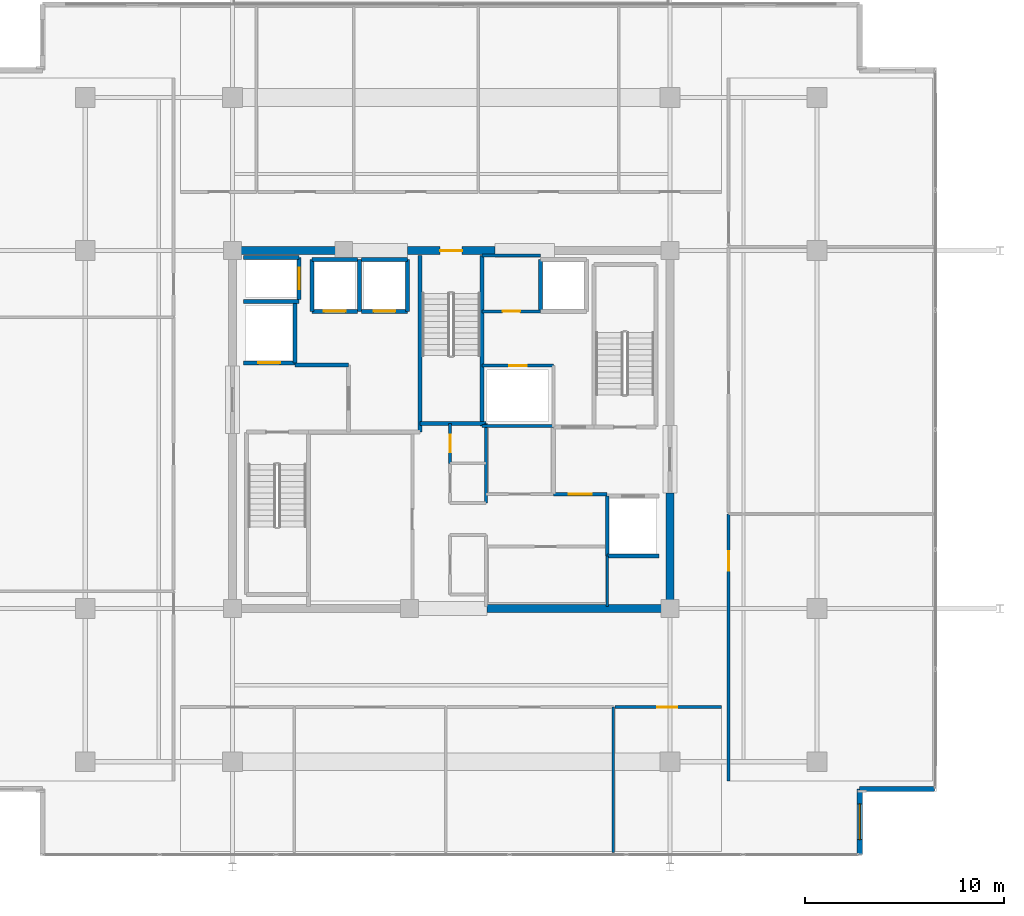
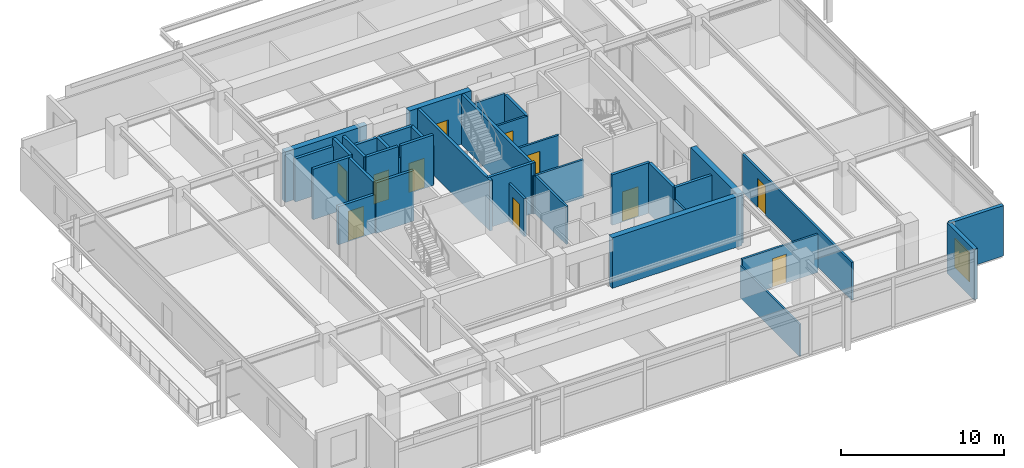
# One storey, part 14 of 20: 36 walls, 11 doors, 1 window, 12 openings.
"""IFC4 building model written with IfcOpenShell, lengths in metres."""

import ifcopenshell
import ifcopenshell.guid

model = None  # the IFC model being written
_history = None  # IfcOwnerHistory: only IFC2X3 demands one
_inside = {}  # id of a spatial element -> (the spatial element, [elements in it])
_under = {}  # id of a project, library or spatial element -> (it, [spatial elements below it])
_declared = {}  # id of a project -> (the project, [libraries it declares])
_typed = {}  # id of a type object -> (the type object, [elements of that type])
_made_of = {}  # id of a material, layer set ... -> (it, [elements and type objects made of it])


def new_model(schema):
    """Start an empty IFC model of exactly this schema.

    Asked for "IFC4X3", IfcOpenShell would pick the latest addendum, in which some entities
    have other attributes; the version numbers below select the first issue.
    IFC2X3 requires an IfcOwnerHistory on every rooted entity: one is made here for all.
    """
    global model, _history
    if schema == "IFC4X3":
        model = ifcopenshell.file(schema_version=(4, 3, 0, 0))
    else:
        model = ifcopenshell.file(schema=schema)
    _inside.clear()
    _under.clear()
    _declared.clear()
    _typed.clear()
    _made_of.clear()
    _history = None
    if model.schema == "IFC2X3":
        org = make("IfcOrganization", Name="unknown")
        user = make(
            "IfcPersonAndOrganization",
            ThePerson=make("IfcPerson", FamilyName="unknown"),
            TheOrganization=org,
        )
        app = make(
            "IfcApplication",
            ApplicationDeveloper=org,
            Version="unknown",
            ApplicationFullName="unknown",
            ApplicationIdentifier="unknown",
        )
        _history = make(
            "IfcOwnerHistory",
            OwningUser=user,
            OwningApplication=app,
            ChangeAction="ADDED",
            CreationDate=0,
        )
    return model


def make(cls, **values):
    """One entity of the class cls with the attributes given. An attribute that is None is left unset."""
    return model.create_entity(
        cls, **{name: value for name, value in values.items() if value is not None}
    )


def rooted(cls, **values):
    """An entity with a GlobalId (a new one), such as an element, a storey or a relation."""
    return make(cls, GlobalId=ifcopenshell.guid.new(), OwnerHistory=_history, **values)


def si_unit(unit_type, name, prefix=None):
    """IfcSIUnit, for example si_unit("LENGTHUNIT", "METRE", prefix="MILLI")."""
    return make("IfcSIUnit", UnitType=unit_type, Prefix=prefix, Name=name)


def assignment(units):
    """IfcUnitAssignment: the units of a project."""
    return None if units is None else make("IfcUnitAssignment", Units=units)


def point(xyz):
    """IfcCartesianPoint."""
    return None if xyz is None else make("IfcCartesianPoint", Coordinates=xyz)


def direction(xyz):
    """IfcDirection."""
    return None if xyz is None else make("IfcDirection", DirectionRatios=xyz)


def frame(location, z_axis=None, x_axis=None):
    """IfcAxis2Placement3D, a coordinate frame: its origin and axes. An axis left out is left unset."""
    return make(
        "IfcAxis2Placement3D",
        Location=point(location),
        Axis=direction(z_axis),
        RefDirection=direction(x_axis),
    )


def frame_2d(location, x_axis=None):
    """IfcAxis2Placement2D, a coordinate frame in the plane: its origin and x axis."""
    return make(
        "IfcAxis2Placement2D", Location=point(location), RefDirection=direction(x_axis)
    )


def origin():
    """The frame at (0, 0, 0) with its axes left unset."""
    return frame((0.0, 0.0, 0.0))


def place(relative_to, where):
    """IfcLocalPlacement: puts the frame where relative to a parent placement (None: the world)."""
    return make(
        "IfcLocalPlacement", PlacementRelTo=relative_to, RelativePlacement=where
    )


def context(
    kind, dimensions, precision=None, world=None, true_north=None, identifier=None
):
    """IfcGeometricRepresentationContext, for example the 3D "Model" context."""
    return make(
        "IfcGeometricRepresentationContext",
        ContextIdentifier=identifier,
        ContextType=kind,
        CoordinateSpaceDimension=dimensions,
        Precision=precision,
        WorldCoordinateSystem=world,
        TrueNorth=true_north,
    )


def subcontext(parent, identifier, kind, view, scale=None):
    """IfcGeometricRepresentationSubContext, for example "Body" below "Model"."""
    return make(
        "IfcGeometricRepresentationSubContext",
        ContextIdentifier=identifier,
        ContextType=kind,
        ParentContext=parent,
        TargetScale=scale,
        TargetView=view,
    )


def project(units=None, contexts=None):
    """IfcProject with its units and contexts."""
    return rooted(
        "IfcProject",
        Name="project",
        RepresentationContexts=contexts,
        UnitsInContext=assignment(units),
    )


def spatial(cls, under=None, at=None, **own):
    """A site, building, storey or space (cls), placed at a placement, below another one or the project."""
    s = rooted(cls, ObjectPlacement=at, **own)
    if under is not None:
        _under.setdefault(under.id(), (under, []))[1].append(s)
    return s


def profile(cls, at=None, kind="AREA", **sizes):
    """A parametric profile (cls). Its sizes go by their IFC names, for example OverallWidth=200.0."""
    return make(cls, ProfileType=kind, Position=at, **sizes)


def rectangle(**sizes):
    """IfcRectangleProfileDef."""
    return profile("IfcRectangleProfileDef", **sizes)


def extrude(swept, where, along, depth):
    """IfcExtrudedAreaSolid: the profile swept, set in the frame where, extruded along a direction by depth."""
    return make(
        "IfcExtrudedAreaSolid",
        SweptArea=swept,
        Position=where,
        ExtrudedDirection=direction(along),
        Depth=depth,
    )


def shape(context_of_items, identifier, shape_type, items):
    """IfcShapeRepresentation: the items that make up one representation, for example the "Body"."""
    return make(
        "IfcShapeRepresentation",
        ContextOfItems=context_of_items,
        RepresentationIdentifier=identifier,
        RepresentationType=shape_type,
        Items=items,
    )


def material(Name=None, Category=None):
    """IfcMaterial."""
    return make("IfcMaterial", Name=Name, Category=Category)


def layer(
    of_material, thickness, ventilated=None, Name=None, Category=None, Priority=None
):
    """IfcMaterialLayer: one layer of a wall or slab, of a material (None: an air gap)."""
    return make(
        "IfcMaterialLayer",
        Material=of_material,
        LayerThickness=thickness,
        IsVentilated=ventilated,
        Name=Name,
        Category=Category,
        Priority=Priority,
    )


def layer_set(layers, Name=None):
    """IfcMaterialLayerSet."""
    return make("IfcMaterialLayerSet", MaterialLayers=layers, LayerSetName=Name)


def made_of(thing, what):
    """Note that an element or type object is made of a material, layer set ...; save() writes the relation."""
    if what is not None:
        _made_of.setdefault(what.id(), (what, []))[1].append(thing)
    return thing


def type_object(cls, material=None, **own):
    """A type object (cls), such as IfcWallType, which elements share."""
    return made_of(rooted(cls, **own), material)


def element(
    cls,
    number,
    at=None,
    inside=None,
    cuts=None,
    type_object=None,
    material=None,
    context=None,
    identifier="Body",
    shape_type=None,
    held_by="IfcProductDefinitionShape",
    body=None,
    shapes=None,
    **own,
):
    """One element of the class cls, such as IfcWall. Its Tag is "e" and its number.

    at: its placement. inside: the storey or other place that contains it. cuts: it is an
    opening in that element (IfcRelVoidsElement). A single representation is given by context,
    identifier, shape_type and body (its items); several are given by shapes. held_by: the class
    of the entity that holds the representations. save() writes the other relations.
    """
    e = rooted(cls, Tag="e%d" % number, ObjectPlacement=at, **own)
    if body is not None:
        shapes = [shape(context, identifier, shape_type, body)]
    if shapes is not None:
        e.Representation = make(held_by, Representations=shapes)
    if inside is not None:
        _inside.setdefault(inside.id(), (inside, []))[1].append(e)
    if cuts is not None:
        rooted(
            "IfcRelVoidsElement", RelatingBuildingElement=cuts, RelatedOpeningElement=e
        )
    if type_object is not None:
        _typed.setdefault(type_object.id(), (type_object, []))[1].append(e)
    return made_of(e, material)


def fill(opening, filler):
    """IfcRelFillsElement: the door or window that sits in an opening."""
    return rooted(
        "IfcRelFillsElement",
        RelatingOpeningElement=opening,
        RelatedBuildingElement=filler,
    )


def aggregate(whole, parts):
    """IfcRelAggregates: a whole, such as a stair, and the parts it consists of."""
    return rooted("IfcRelAggregates", RelatingObject=whole, RelatedObjects=parts)


def save(model, path):
    """Write the relations noted so far, then the file.

    IfcRelAggregates (storeys below a building ...), IfcRelContainedInSpatialStructure (elements
    in a storey), IfcRelDefinesByType, IfcRelAssociatesMaterial and IfcRelDeclares: one each for
    every whole, place, type object, material and project.
    """
    for whole, parts in _under.values():
        aggregate(whole, parts)
    for where, things in _inside.values():
        rooted(
            "IfcRelContainedInSpatialStructure",
            RelatedElements=things,
            RelatingStructure=where,
        )
    for kind, things in _typed.values():
        rooted("IfcRelDefinesByType", RelatedObjects=things, RelatingType=kind)
    for what, things in _made_of.values():
        rooted("IfcRelAssociatesMaterial", RelatedObjects=things, RelatingMaterial=what)
    for by, libraries in _declared.values():
        rooted("IfcRelDeclares", RelatingContext=by, RelatedDefinitions=libraries)
    model.write(path)


model = new_model("IFC4")

# Units and contexts
model_context = context("Model", 3, precision=1e-05, world=origin(), true_north=direction((0.0, 1.0)))
body_context = subcontext(model_context, "Body", "Model", "MODEL_VIEW")
ifc_project = project(units=[si_unit("LENGTHUNIT", "METRE"), si_unit("AREAUNIT", "SQUARE_METRE"), si_unit("VOLUMEUNIT", "CUBIC_METRE"), si_unit("PLANEANGLEUNIT", "RADIAN"), si_unit("MASSUNIT", "GRAM", prefix="KILO")], contexts=[model_context])

# Site, building, storey
site_placement = place(None, origin())
site = spatial("IfcSite", under=ifc_project, at=site_placement, CompositionType="ELEMENT")
building_placement = place(site_placement, origin())
building = spatial("IfcBuilding", under=site, at=building_placement, Name="Kovane Verandah Tower", CompositionType="ELEMENT")
storey_placement = place(building_placement, frame((0.0, 0.0, 334.800048828125)))
storey = spatial("IfcBuildingStorey", under=building, at=storey_placement, Name="L78", CompositionType="ELEMENT", Elevation=334.800048828125)

# Wall
ifc_material_1 = material(Name="Fire-Rated Gypsum Stud Partition", Category="gypsum")
ifc_layer_1 = layer(ifc_material_1, 0.14990234375)
ifc_layer_set_1 = layer_set([ifc_layer_1], Name="Fire-Rated Gypsum Stud Partition")
wall_type_1 = type_object("IfcWallType", Name="WL-COR-150", PredefinedType="PARTITIONING", material=ifc_layer_set_1)
wall_1_placement = place(storey_placement, frame((41.760009765625, 23.800048828125, 0.0), z_axis=(0.0, 0.0, 1.0), x_axis=(0.0, 1.0, 0.0)))
element("IfcWall", 1, at=wall_1_placement, inside=storey, type_object=wall_type_1, Name="L78 Central Core Strip Upper East Wall", PredefinedType="PARTITIONING", context=body_context, shape_type="SweptSolid", body=[
    extrude(rectangle(XDim=4.0, YDim=0.14990234375, at=frame_2d((2.0, 0.0))), origin(), (0.0, 0.0, 1.0), 2.849853515625),
])

# Wall, opening, door
wall_2_placement = place(storey_placement, frame((39.949951171875, 25.800048828125, 0.0), z_axis=(0.0, 0.0, 1.0), x_axis=(0.0, 1.0, 0.0)))
wall_2 = element("IfcWall", 2, at=wall_2_placement, inside=storey, type_object=wall_type_1, Name="L78 Accessible Unisex Toilet Partition", PredefinedType="PARTITIONING", context=body_context, shape_type="SweptSolid", body=[
    extrude(rectangle(XDim=2.0, YDim=0.14990234375, at=frame_2d((1.0, 0.0))), origin(), (0.0, 0.0, 1.0), 2.849853515625),
])
opening_1_placement = place(wall_2_placement, frame((0.550048828125, 0.0, 0.0)))
opening_1 = element("IfcOpeningElement", 3, at=opening_1_placement, cuts=wall_2, Name="Opening DR-L78-028", PredefinedType="OPENING", context=body_context, shape_type="SweptSolid", body=[
    extrude(rectangle(XDim=0.89990234375, YDim=2.10009765625, at=frame_2d((0.449951171875, 1.050048828125))), frame((0.0, 0.074951171875, 0.0), z_axis=(0.0, -1.0, 0.0), x_axis=(1.0, 0.0, 0.0)), (0.0, 0.0, 1.0), 0.14990234375),
])
ifc_material_2 = material(Name="Moisture-Resistant Laminate Washroom Door", Category="wood")
door_type_1 = type_object("IfcDoorType", Name="DR-WC-900", OperationType="SINGLE_SWING_LEFT", PredefinedType="DOOR", material=ifc_material_2)
door_1_placement = place(opening_1_placement, origin())
door_1 = element("IfcDoor", 4, at=door_1_placement, inside=storey, type_object=door_type_1, Name="L78 Accessible Unisex Toilet Door", OperationType="SINGLE_SWING_LEFT", OverallHeight=2.10009765625, OverallWidth=0.89990234375, PredefinedType="DOOR", context=body_context, shape_type="SweptSolid", body=[
    extrude(rectangle(XDim=0.89990234375, YDim=2.10009765625, at=frame_2d((0.449951171875, 1.050048828125))), frame((0.0, 0.02490234375, 0.0), z_axis=(0.0, -1.0, 0.0), x_axis=(1.0, 0.0, 0.0)), (0.0, 0.0, 1.0), 0.050048828125),
])
fill(opening_1, door_1)

# Walls
wall_3_placement = place(storey_placement, frame((41.56005859375, 27.679931640625, 0.0), z_axis=(0.0, 0.0, 1.0), x_axis=(1.0, 0.0, 0.0)))
element("IfcWall", 5, at=wall_3_placement, inside=storey, type_object=wall_type_1, Name="L78 East Core Service Riser South Wall", PredefinedType="PARTITIONING", context=body_context, shape_type="SweptSolid", body=[
    extrude(rectangle(XDim=3.58984375, YDim=0.14990234375, at=frame_2d((1.794921875, 0.0))), origin(), (0.0, 0.0, 1.0), 2.849853515625),
])
wall_4_placement = place(storey_placement, frame((47.85009765625, 18.60009765625, 0.0), z_axis=(0.0, 0.0, 1.0), x_axis=(0.0, 1.0, 0.0)))
element("IfcWall", 6, at=wall_4_placement, inside=storey, type_object=wall_type_1, Name="L78 East Core Support East Wall", PredefinedType="PARTITIONING", context=body_context, shape_type="SweptSolid", body=[
    extrude(rectangle(XDim=2.539794921875, YDim=0.14990234375, at=frame_2d((1.27001953125, 0.0))), origin(), (0.0, 0.0, 1.0), 2.849853515625),
])

# Wall, opening, door
wall_5_placement = place(storey_placement, frame((41.56005859375, 30.719970703125, 0.0), z_axis=(0.0, 0.0, 1.0), x_axis=(1.0, 0.0, 0.0)))
wall_5 = element("IfcWall", 7, at=wall_5_placement, inside=storey, type_object=wall_type_1, Name="L78 Combined Chilled Water and Smoke Duct Room Partition", PredefinedType="PARTITIONING", context=body_context, shape_type="SweptSolid", body=[
    extrude(rectangle(XDim=3.58984375, YDim=0.14990234375, at=frame_2d((1.794921875, 0.0))), origin(), (0.0, 0.0, 1.0), 2.849853515625),
])
opening_2_placement = place(wall_5_placement, frame((1.35498046875, 0.0, 0.0)))
opening_2 = element("IfcOpeningElement", 8, at=opening_2_placement, cuts=wall_5, Name="Opening DR-L78-018", PredefinedType="OPENING", context=body_context, shape_type="SweptSolid", body=[
    extrude(rectangle(XDim=0.8798828125, YDim=2.10009765625, at=frame_2d((0.43994140625, 1.050048828125))), frame((0.0, 0.074951171875, 0.0), z_axis=(0.0, -1.0, 0.0), x_axis=(1.0, 0.0, 0.0)), (0.0, 0.0, 1.0), 0.14990234375),
])
ifc_material_3 = material(Name="Fire-Rated Steel Riser Access Door", Category="steel")
door_type_2 = type_object("IfcDoorType", Name="DR-RISER-880", OperationType="SINGLE_SWING_LEFT", PredefinedType="DOOR", material=ifc_material_3)
door_2_placement = place(opening_2_placement, origin())
door_2 = element("IfcDoor", 9, at=door_2_placement, inside=storey, type_object=door_type_2, Name="L78 Combined Chilled Water and Smoke Duct Room Door", OperationType="SINGLE_SWING_LEFT", OverallHeight=2.10009765625, OverallWidth=0.8798828125, PredefinedType="DOOR", context=body_context, shape_type="SweptSolid", body=[
    extrude(rectangle(XDim=0.8798828125, YDim=2.10009765625, at=frame_2d((0.43994140625, 1.050048828125))), frame((0.0, 0.02490234375, 0.0), z_axis=(0.0, -1.0, 0.0), x_axis=(1.0, 0.0, 0.0)), (0.0, 0.0, 1.0), 0.050048828125),
])
fill(opening_2, door_2)

# Wall
wall_6_placement = place(storey_placement, frame((41.56005859375, 36.25, 0.0), z_axis=(0.0, 0.0, 1.0), x_axis=(1.0, 0.0, 0.0)))
element("IfcWall", 10, at=wall_6_placement, inside=storey, type_object=wall_type_1, Name="L78 Sky Telecom Riser North Wall", PredefinedType="PARTITIONING", context=body_context, shape_type="SweptSolid", body=[
    extrude(rectangle(XDim=2.93994140625, YDim=0.14990234375, at=frame_2d((1.469970703125, 0.0))), origin(), (0.0, 0.0, 1.0), 2.849853515625),
])

# Wall, opening, door
wall_7_placement = place(storey_placement, frame((41.56005859375, 33.449951171875, 0.0), z_axis=(0.0, 0.0, 1.0), x_axis=(1.0, 0.0, 0.0)))
wall_7 = element("IfcWall", 11, at=wall_7_placement, inside=storey, type_object=wall_type_1, Name="L78 Sky Telecom Riser Room Partition", PredefinedType="PARTITIONING", context=body_context, shape_type="SweptSolid", body=[
    extrude(rectangle(XDim=2.93994140625, YDim=0.14990234375, at=frame_2d((1.469970703125, 0.0))), origin(), (0.0, 0.0, 1.0), 2.849853515625),
])
opening_3_placement = place(wall_7_placement, frame((1.030029296875, 0.0, 0.0)))
opening_3 = element("IfcOpeningElement", 12, at=opening_3_placement, cuts=wall_7, Name="Opening DR-L78-017", PredefinedType="OPENING", context=body_context, shape_type="SweptSolid", body=[
    extrude(rectangle(XDim=0.8798828125, YDim=2.10009765625, at=frame_2d((0.43994140625, 1.050048828125))), frame((0.0, 0.074951171875, 0.0), z_axis=(0.0, -1.0, 0.0), x_axis=(1.0, 0.0, 0.0)), (0.0, 0.0, 1.0), 0.14990234375),
])
door_3_placement = place(opening_3_placement, origin())
door_3 = element("IfcDoor", 13, at=door_3_placement, inside=storey, type_object=door_type_2, Name="L78 Sky Telecom Riser Room Door", OperationType="SINGLE_SWING_RIGHT", OverallHeight=2.10009765625, OverallWidth=0.8798828125, PredefinedType="DOOR", context=body_context, shape_type="SweptSolid", body=[
    extrude(rectangle(XDim=0.8798828125, YDim=2.10009765625, at=frame_2d((0.43994140625, 1.050048828125))), frame((0.0, 0.02490234375, 0.0), z_axis=(0.0, -1.0, 0.0), x_axis=(1.0, 0.0, 0.0)), (0.0, 0.0, 1.0), 0.050048828125),
])
fill(opening_3, door_3)

wall_8_placement = place(storey_placement, frame((48.22998046875, 13.550048828125, 0.0), z_axis=(0.0, 0.0, 1.0), x_axis=(1.0, 0.0, 0.0)))
wall_8 = element("IfcWall", 14, at=wall_8_placement, inside=storey, type_object=wall_type_1, Name="L78 Focus Studio S4 Corridor Partition", PredefinedType="PARTITIONING", context=body_context, shape_type="SweptSolid", body=[
    extrude(rectangle(XDim=5.3701171875, YDim=0.14990234375, at=frame_2d((2.68505859375, 0.0))), origin(), (0.0, 0.0, 1.0), 2.849853515625),
])
opening_4_placement = place(wall_8_placement, frame((2.135009765625, 0.0, 0.0)))
opening_4 = element("IfcOpeningElement", 15, at=opening_4_placement, cuts=wall_8, Name="Opening DR-L78-027", PredefinedType="OPENING", context=body_context, shape_type="SweptSolid", body=[
    extrude(rectangle(XDim=1.0, YDim=2.14990234375, at=frame_2d((0.5, 1.074951171875))), frame((0.0, 0.074951171875, 0.0), z_axis=(0.0, -1.0, 0.0), x_axis=(1.0, 0.0, 0.0)), (0.0, 0.0, 1.0), 0.14990234375),
])
ifc_material_4 = material(Name="FSC Spotted-Gum Timber Fire-Rated Office Door", Category="wood")
door_type_3 = type_object("IfcDoorType", Name="DR-OFF-1000", OperationType="SINGLE_SWING_LEFT", PredefinedType="DOOR", material=ifc_material_4)
door_4_placement = place(opening_4_placement, origin())
door_4 = element("IfcDoor", 16, at=door_4_placement, inside=storey, type_object=door_type_3, Name="L78 Focus Studio S4 Entrance Door", OperationType="SINGLE_SWING_LEFT", OverallHeight=2.14990234375, OverallWidth=1.0, PredefinedType="DOOR", context=body_context, shape_type="SweptSolid", body=[
    extrude(rectangle(XDim=1.0, YDim=2.14990234375, at=frame_2d((0.5, 1.074951171875))), frame((0.0, 0.02490234375, 0.0), z_axis=(0.0, -1.0, 0.0), x_axis=(1.0, 0.0, 0.0)), (0.0, 0.0, 1.0), 0.050048828125),
])
fill(opening_4, door_4)

wall_9_placement = place(storey_placement, frame((53.949951171875, 9.827880859375, 0.0), z_axis=(0.0, 0.0, 1.0), x_axis=(0.0, 1.0, 0.0)))
wall_9 = element("IfcWall", 17, at=wall_9_placement, inside=storey, type_object=wall_type_1, Name="L78 Open Plan Office E1 Corridor Partition", PredefinedType="PARTITIONING", context=body_context, shape_type="SweptSolid", body=[
    extrude(rectangle(XDim=13.430908203125, YDim=0.14990234375, at=frame_2d((6.71533203125, 0.0))), origin(), (0.0, 0.0, 1.0), 2.849853515625),
])
opening_5_placement = place(wall_9_placement, frame((10.566650390625, 0.0, 0.0)))
opening_5 = element("IfcOpeningElement", 18, at=opening_5_placement, cuts=wall_9, Name="Opening DR-L78-011", PredefinedType="OPENING", context=body_context, shape_type="SweptSolid", body=[
    extrude(rectangle(XDim=1.0, YDim=2.14990234375, at=frame_2d((0.5, 1.074951171875))), frame((0.0, 0.074951171875, 0.0), z_axis=(0.0, -1.0, 0.0), x_axis=(1.0, 0.0, 0.0)), (0.0, 0.0, 1.0), 0.14990234375),
])
door_5_placement = place(opening_5_placement, origin())
door_5 = element("IfcDoor", 19, at=door_5_placement, inside=storey, type_object=door_type_3, Name="L78 Open Plan Office E1 Entrance Door", OperationType="SINGLE_SWING_LEFT", OverallHeight=2.14990234375, OverallWidth=1.0, PredefinedType="DOOR", context=body_context, shape_type="SweptSolid", body=[
    extrude(rectangle(XDim=1.0, YDim=2.14990234375, at=frame_2d((0.5, 1.074951171875))), frame((0.0, 0.02490234375, 0.0), z_axis=(0.0, -1.0, 0.0), x_axis=(1.0, 0.0, 0.0)), (0.0, 0.0, 1.0), 0.050048828125),
])
fill(opening_5, door_5)

# Walls
ifc_material_5 = material(Name="Concrete C60/75", Category="concrete")
ifc_layer_2 = layer(ifc_material_5, 0.39990234375)
ifc_layer_set_2 = layer_set([ifc_layer_2], Name="Concrete C60/75")
wall_type_2 = type_object("IfcWallType", Name="WL-CORE-400", PredefinedType="SHEAR", material=ifc_layer_set_2)
wall_10_placement = place(storey_placement, frame((41.800048828125, 18.5, 0.0), z_axis=(0.0, 0.0, 1.0), x_axis=(1.0, 0.0, 0.0)))
element("IfcWall", 20, at=wall_10_placement, inside=storey, type_object=wall_type_2, Name="L78 Core Shear Wall CS-2", PredefinedType="SHEAR", context=body_context, shape_type="SweptSolid", body=[
    extrude(rectangle(XDim=9.199951171875, YDim=0.39990234375, at=frame_2d((4.60009765625, 0.0))), origin(), (0.0, 0.0, 1.0), 3.784912109375),
])
wall_11_placement = place(storey_placement, frame((29.0, 36.5, 0.0), z_axis=(0.0, 0.0, 1.0), x_axis=(1.0, 0.0, 0.0)))
element("IfcWall", 21, at=wall_11_placement, inside=storey, type_object=wall_type_2, Name="L78 Core Shear Wall CN-1", PredefinedType="SHEAR", context=body_context, shape_type="SweptSolid", body=[
    extrude(rectangle(XDim=5.800048828125, YDim=0.39990234375, at=frame_2d((2.89990234375, 0.0))), origin(), (0.0, 0.0, 1.0), 3.784912109375),
])

# Wall, opening, door
wall_12_placement = place(storey_placement, frame((37.800048828125, 36.5, 0.0), z_axis=(0.0, 0.0, 1.0), x_axis=(1.0, 0.0, 0.0)))
wall_12 = element("IfcWall", 22, at=wall_12_placement, inside=storey, type_object=wall_type_2, Name="L78 Core Shear Wall CN-2", PredefinedType="SHEAR", context=body_context, shape_type="SweptSolid", body=[
    extrude(rectangle(XDim=4.39990234375, YDim=0.39990234375, at=frame_2d((2.199951171875, 0.0))), origin(), (0.0, 0.0, 1.0), 3.784912109375),
])
opening_6_placement = place(wall_12_placement, frame((1.64990234375, 0.0, 0.0)))
opening_6 = element("IfcOpeningElement", 23, at=opening_6_placement, cuts=wall_12, Name="Opening DR-L78-010", PredefinedType="OPENING", context=body_context, shape_type="SweptSolid", body=[
    extrude(rectangle(XDim=1.10009765625, YDim=2.14990234375, at=frame_2d((0.550048828125, 1.074951171875))), frame((0.0, 0.199951171875, 0.0), z_axis=(0.0, -1.0, 0.0), x_axis=(1.0, 0.0, 0.0)), (0.0, 0.0, 1.0), 0.39990234375),
])
ifc_material_6 = material(Name="Fire-Rated Steel Exit Door", Category="steel")
door_type_4 = type_object("IfcDoorType", Name="DR-STAIR-1100", OperationType="SINGLE_SWING_LEFT", PredefinedType="DOOR", material=ifc_material_6)
door_6_placement = place(opening_6_placement, origin())
door_6 = element("IfcDoor", 24, at=door_6_placement, inside=storey, type_object=door_type_4, Name="L78 ST-03 Fire Exit Stair Door", OperationType="SINGLE_SWING_RIGHT", OverallHeight=2.14990234375, OverallWidth=1.10009765625, PredefinedType="DOOR", context=body_context, shape_type="SweptSolid", body=[
    extrude(rectangle(XDim=1.10009765625, YDim=2.14990234375, at=frame_2d((0.550048828125, 1.074951171875))), frame((0.0, 0.02490234375, 0.0), z_axis=(0.0, -1.0, 0.0), x_axis=(1.0, 0.0, 0.0)), (0.0, 0.0, 1.0), 0.050048828125),
])
fill(opening_6, door_6)

# Walls
wall_13_placement = place(storey_placement, frame((51.0, 18.5, 0.0), z_axis=(0.0, 0.0, 1.0), x_axis=(0.0, 1.0, 0.0)))
element("IfcWall", 25, at=wall_13_placement, inside=storey, type_object=wall_type_2, Name="L78 Core Shear Wall CE-1", PredefinedType="SHEAR", context=body_context, shape_type="SweptSolid", body=[
    extrude(rectangle(XDim=5.800048828125, YDim=0.39990234375, at=frame_2d((2.89990234375, 0.0))), origin(), (0.0, 0.0, 1.0), 3.784912109375),
])
ifc_material_7 = material(Name="Concrete C45/55 Fire Wall", Category="concrete")
ifc_layer_3 = layer(ifc_material_7, 0.199951171875)
ifc_layer_set_3 = layer_set([ifc_layer_3], Name="Concrete C45/55 Fire Wall")
wall_type_3 = type_object("IfcWallType", Name="WL-FFL-200", PredefinedType="PARTITIONING", material=ifc_layer_set_3)
wall_14_placement = place(storey_placement, frame((32.14990234375, 30.75, 0.0), z_axis=(0.0, 0.0, 1.0), x_axis=(1.0, 0.0, 0.0)))
element("IfcWall", 26, at=wall_14_placement, inside=storey, type_object=wall_type_3, Name="L78 West Firefighting Lobby North Fire Wall", PredefinedType="PARTITIONING", context=body_context, shape_type="SweptSolid", body=[
    extrude(rectangle(XDim=2.7001953125, YDim=0.199951171875, at=frame_2d((1.35009765625, 0.0))), origin(), (0.0, 0.0, 1.0), 3.784912109375),
])

# Wall, opening, door
wall_15_placement = place(storey_placement, frame((45.14990234375, 24.25, 0.0), z_axis=(0.0, 0.0, 1.0), x_axis=(1.0, 0.0, 0.0)))
wall_15 = element("IfcWall", 27, at=wall_15_placement, inside=storey, type_object=wall_type_3, Name="W-L78-FFLE-S", PredefinedType="PARTITIONING", context=body_context, shape_type="SweptSolid", body=[
    extrude(rectangle(XDim=2.7001953125, YDim=0.199951171875, at=frame_2d((1.35009765625, 0.0))), origin(), (0.0, 0.0, 1.0), 3.784912109375),
])
opening_7_placement = place(wall_15_placement, frame((0.77490234375, 0.0, 0.0)))
opening_7 = element("IfcOpeningElement", 28, at=opening_7_placement, cuts=wall_15, Name="Opening DR-L78-003", PredefinedType="OPENING", context=body_context, shape_type="SweptSolid", body=[
    extrude(rectangle(XDim=1.14990234375, YDim=2.199951171875, at=frame_2d((0.574951171875, 1.10009765625))), frame((0.0, 0.10009765625, 0.0), z_axis=(0.0, -1.0, 0.0), x_axis=(1.0, 0.0, 0.0)), (0.0, 0.0, 1.0), 0.199951171875),
])
ifc_material_8 = material(Name="Smoke-Sealed Firefighting Lobby Door", Category="steel")
door_type_5 = type_object("IfcDoorType", Name="DR-FFL-1150", OperationType="SINGLE_SWING_LEFT", PredefinedType="DOOR", material=ifc_material_8)
door_7_placement = place(opening_7_placement, origin())
door_7 = element("IfcDoor", 29, at=door_7_placement, inside=storey, type_object=door_type_5, Name="L78 East Firefighting Lobby Inner Door", OperationType="SINGLE_SWING_RIGHT", OverallHeight=2.199951171875, OverallWidth=1.14990234375, PredefinedType="DOOR", context=body_context, shape_type="SweptSolid", body=[
    extrude(rectangle(XDim=1.14990234375, YDim=2.199951171875, at=frame_2d((0.574951171875, 1.10009765625))), frame((0.0, 0.02490234375, 0.0), z_axis=(0.0, -1.0, 0.0), x_axis=(1.0, 0.0, 0.0)), (0.0, 0.0, 1.0), 0.050048828125),
])
fill(opening_7, door_7)

ifc_material_9 = material(Name="Concrete C45/55 Lift Shaft Wall", Category="concrete")
ifc_layer_4 = layer(ifc_material_9, 0.199951171875)
ifc_layer_set_4 = layer_set([ifc_layer_4], Name="Concrete C45/55 Lift Shaft Wall")
wall_type_4 = type_object("IfcWallType", Name="WL-LIFT-200", PredefinedType="SOLIDWALL", material=ifc_layer_set_4)
wall_16_placement = place(storey_placement, frame((29.550048828125, 30.85009765625, 0.0), z_axis=(0.0, 0.0, 1.0), x_axis=(1.0, 0.0, 0.0)))
wall_16 = element("IfcWall", 30, at=wall_16_placement, inside=storey, type_object=wall_type_4, Name="L78 Lift FL-01 S Shaft Wall", PredefinedType="SOLIDWALL", context=body_context, shape_type="SweptSolid", body=[
    extrude(rectangle(XDim=2.599853515625, YDim=0.199951171875, at=frame_2d((1.2998046875, 0.0))), origin(), (0.0, 0.0, 1.0), 2.864990234375),
])
opening_8_placement = place(wall_16_placement, frame((0.75, 0.0, 0.0)))
opening_8 = element("IfcOpeningElement", 31, at=opening_8_placement, cuts=wall_16, Name="Opening LD-L78-001", PredefinedType="OPENING", context=body_context, shape_type="SweptSolid", body=[
    extrude(rectangle(XDim=1.10009765625, YDim=2.199951171875, at=frame_2d((0.550048828125, 1.10009765625))), frame((0.0, 0.10009765625, 0.0), z_axis=(0.0, -1.0, 0.0), x_axis=(1.0, 0.0, 0.0)), (0.0, 0.0, 1.0), 0.199951171875),
])
ifc_material_10 = material(Name="Brushed Stainless Steel Sliding Lift Landing Door", Category="steel")
door_type_6 = type_object("IfcDoorType", Name="DR-LIFT-1100", OperationType="SLIDING_TO_RIGHT", PredefinedType="DOOR", material=ifc_material_10)
door_8_placement = place(opening_8_placement, origin())
door_8 = element("IfcDoor", 32, at=door_8_placement, inside=storey, type_object=door_type_6, Name="L78 Lift FL-01 Sliding Landing Door", OperationType="SLIDING_TO_RIGHT", OverallHeight=2.199951171875, OverallWidth=1.10009765625, PredefinedType="DOOR", context=body_context, shape_type="SweptSolid", body=[
    extrude(rectangle(XDim=1.10009765625, YDim=2.199951171875, at=frame_2d((0.550048828125, 1.10009765625))), frame((0.0, 0.02490234375, 0.0), z_axis=(0.0, -1.0, 0.0), x_axis=(1.0, 0.0, 0.0)), (0.0, 0.0, 1.0), 0.050048828125),
])
fill(opening_8, door_8)

# Walls
wall_17_placement = place(storey_placement, frame((29.550048828125, 33.949951171875, 0.0), z_axis=(0.0, 0.0, 1.0), x_axis=(1.0, 0.0, 0.0)))
element("IfcWall", 33, at=wall_17_placement, inside=storey, type_object=wall_type_4, Name="L78 Lift FL-01 and GL-01 Shared Shaft Wall", PredefinedType="SOLIDWALL", context=body_context, shape_type="SweptSolid", body=[
    extrude(rectangle(XDim=2.800048828125, YDim=0.199951171875, at=frame_2d((1.39990234375, 0.0))), origin(), (0.0, 0.0, 1.0), 3.784912109375),
])
wall_18_placement = place(storey_placement, frame((32.14990234375, 30.85009765625, 0.0), z_axis=(0.0, 0.0, 1.0), x_axis=(0.0, 1.0, 0.0)))
element("IfcWall", 34, at=wall_18_placement, inside=storey, type_object=wall_type_4, Name="L78 Lift FL-01 E Shaft Wall", PredefinedType="SOLIDWALL", context=body_context, shape_type="SweptSolid", body=[
    extrude(rectangle(XDim=3.0, YDim=0.199951171875, at=frame_2d((1.5, 0.0))), origin(), (0.0, 0.0, 1.0), 3.784912109375),
])
wall_19_placement = place(storey_placement, frame((47.85009765625, 21.14990234375, 0.0), z_axis=(0.0, 0.0, 1.0), x_axis=(1.0, 0.0, 0.0)))
element("IfcWall", 35, at=wall_19_placement, inside=storey, type_object=wall_type_4, Name="L78 Lift FL-02 S Shaft Wall", PredefinedType="SOLIDWALL", context=body_context, shape_type="SweptSolid", body=[
    extrude(rectangle(XDim=2.599853515625, YDim=0.199951171875, at=frame_2d((1.2998046875, 0.0))), origin(), (0.0, 0.0, 1.0), 3.784912109375),
])
wall_20_placement = place(storey_placement, frame((47.85009765625, 24.14990234375, 0.0), z_axis=(0.0, 0.0, 1.0), x_axis=(0.0, -1.0, 0.0)))
element("IfcWall", 36, at=wall_20_placement, inside=storey, type_object=wall_type_4, Name="L78 Lift FL-02 W Shaft Wall", PredefinedType="SOLIDWALL", context=body_context, shape_type="SweptSolid", body=[
    extrude(rectangle(XDim=3.0, YDim=0.199951171875, at=frame_2d((1.5, 0.0))), origin(), (0.0, 0.0, 1.0), 3.784912109375),
])
wall_21_placement = place(storey_placement, frame((32.35009765625, 36.14990234375, 0.0), z_axis=(0.0, 0.0, 1.0), x_axis=(-1.0, 0.0, 0.0)))
element("IfcWall", 37, at=wall_21_placement, inside=storey, type_object=wall_type_4, Name="L78 Lift GL-01 N Shaft Wall", PredefinedType="SOLIDWALL", context=body_context, shape_type="SweptSolid", body=[
    extrude(rectangle(XDim=2.800048828125, YDim=0.199951171875, at=frame_2d((1.39990234375, 0.0))), origin(), (0.0, 0.0, 1.0), 3.220458984375),
])

# Wall, opening, door
wall_22_placement = place(storey_placement, frame((32.35009765625, 34.050048828125, 0.0), z_axis=(0.0, 0.0, 1.0), x_axis=(0.0, 1.0, 0.0)))
wall_22 = element("IfcWall", 38, at=wall_22_placement, inside=storey, type_object=wall_type_4, Name="L78 Lift GL-01 E Shaft Wall", PredefinedType="SOLIDWALL", context=body_context, shape_type="SweptSolid", body=[
    extrude(rectangle(XDim=2.099853515625, YDim=0.199951171875, at=frame_2d((1.0498046875, 0.0))), origin(), (0.0, 0.0, 1.0), 3.784912109375),
])
opening_9_placement = place(wall_22_placement, frame((0.5, 0.0, 0.0)))
opening_9 = element("IfcOpeningElement", 39, at=opening_9_placement, cuts=wall_22, Name="Opening LD-L78-003", PredefinedType="OPENING", context=body_context, shape_type="SweptSolid", body=[
    extrude(rectangle(XDim=1.10009765625, YDim=2.199951171875, at=frame_2d((0.550048828125, 1.10009765625))), frame((0.0, 0.10009765625, 0.0), z_axis=(0.0, -1.0, 0.0), x_axis=(1.0, 0.0, 0.0)), (0.0, 0.0, 1.0), 0.199951171875),
])
door_9_placement = place(opening_9_placement, origin())
door_9 = element("IfcDoor", 40, at=door_9_placement, inside=storey, type_object=door_type_6, Name="L78 Lift GL-01 Sliding Landing Door", OperationType="SLIDING_TO_RIGHT", OverallHeight=2.199951171875, OverallWidth=1.10009765625, PredefinedType="DOOR", context=body_context, shape_type="SweptSolid", body=[
    extrude(rectangle(XDim=1.10009765625, YDim=2.199951171875, at=frame_2d((0.550048828125, 1.10009765625))), frame((0.0, 0.02490234375, 0.0), z_axis=(0.0, -1.0, 0.0), x_axis=(1.0, 0.0, 0.0)), (0.0, 0.0, 1.0), 0.050048828125),
])
fill(opening_9, door_9)

wall_23_placement = place(storey_placement, frame((33.0, 33.449951171875, 0.0), z_axis=(0.0, 0.0, 1.0), x_axis=(1.0, 0.0, 0.0)))
wall_23 = element("IfcWall", 41, at=wall_23_placement, inside=storey, type_object=wall_type_4, Name="L78 Lift PL-H1 S Shaft Wall", PredefinedType="SOLIDWALL", context=body_context, shape_type="SweptSolid", body=[
    extrude(rectangle(XDim=2.300048828125, YDim=0.199951171875, at=frame_2d((1.14990234375, 0.0))), origin(), (0.0, 0.0, 1.0), 3.784912109375),
])
opening_10_placement = place(wall_23_placement, frame((0.60009765625, 0.0, 0.0)))
opening_10 = element("IfcOpeningElement", 42, at=opening_10_placement, cuts=wall_23, Name="Opening LD-L78-004", PredefinedType="OPENING", context=body_context, shape_type="SweptSolid", body=[
    extrude(rectangle(XDim=1.10009765625, YDim=2.199951171875, at=frame_2d((0.550048828125, 1.10009765625))), frame((0.0, 0.10009765625, 0.0), z_axis=(0.0, -1.0, 0.0), x_axis=(1.0, 0.0, 0.0)), (0.0, 0.0, 1.0), 0.199951171875),
])
door_10_placement = place(opening_10_placement, origin())
door_10 = element("IfcDoor", 43, at=door_10_placement, inside=storey, type_object=door_type_6, Name="L78 Lift PL-H1 Sliding Landing Door", OperationType="SLIDING_TO_RIGHT", OverallHeight=2.199951171875, OverallWidth=1.10009765625, PredefinedType="DOOR", context=body_context, shape_type="SweptSolid", body=[
    extrude(rectangle(XDim=1.10009765625, YDim=2.199951171875, at=frame_2d((0.550048828125, 1.10009765625))), frame((0.0, 0.02490234375, 0.0), z_axis=(0.0, -1.0, 0.0), x_axis=(1.0, 0.0, 0.0)), (0.0, 0.0, 1.0), 0.050048828125),
])
fill(opening_10, door_10)

# Walls
wall_24_placement = place(storey_placement, frame((35.300048828125, 36.050048828125, 0.0), z_axis=(0.0, 0.0, 1.0), x_axis=(-1.0, 0.0, 0.0)))
element("IfcWall", 44, at=wall_24_placement, inside=storey, type_object=wall_type_4, Name="L78 Lift PL-H1 N Shaft Wall", PredefinedType="SOLIDWALL", context=body_context, shape_type="SweptSolid", body=[
    extrude(rectangle(XDim=2.300048828125, YDim=0.199951171875, at=frame_2d((1.14990234375, 0.0))), origin(), (0.0, 0.0, 1.0), 2.864990234375),
])
wall_25_placement = place(storey_placement, frame((33.0, 36.050048828125, 0.0), z_axis=(0.0, 0.0, 1.0), x_axis=(0.0, -1.0, 0.0)))
element("IfcWall", 45, at=wall_25_placement, inside=storey, type_object=wall_type_4, Name="L78 Lift PL-H1 W Shaft Wall", PredefinedType="SOLIDWALL", context=body_context, shape_type="SweptSolid", body=[
    extrude(rectangle(XDim=2.60009765625, YDim=0.199951171875, at=frame_2d((1.300048828125, 0.0))), origin(), (0.0, 0.0, 1.0), 3.784912109375),
])
wall_26_placement = place(storey_placement, frame((35.39990234375, 33.449951171875, 0.0), z_axis=(0.0, 0.0, 1.0), x_axis=(0.0, 1.0, 0.0)))
element("IfcWall", 46, at=wall_26_placement, inside=storey, type_object=wall_type_4, Name="L78 Lift PL-H1 and PL-H2 Shared Shaft Wall", PredefinedType="SOLIDWALL", context=body_context, shape_type="SweptSolid", body=[
    extrude(rectangle(XDim=2.60009765625, YDim=0.199951171875, at=frame_2d((1.300048828125, 0.0))), origin(), (0.0, 0.0, 1.0), 2.864990234375),
])

# Wall, opening, door
wall_27_placement = place(storey_placement, frame((35.5, 33.449951171875, 0.0), z_axis=(0.0, 0.0, 1.0), x_axis=(1.0, 0.0, 0.0)))
wall_27 = element("IfcWall", 47, at=wall_27_placement, inside=storey, type_object=wall_type_4, Name="L78 Lift PL-H2 S Shaft Wall", PredefinedType="SOLIDWALL", context=body_context, shape_type="SweptSolid", body=[
    extrude(rectangle(XDim=2.300048828125, YDim=0.199951171875, at=frame_2d((1.14990234375, 0.0))), origin(), (0.0, 0.0, 1.0), 3.784912109375),
])
opening_11_placement = place(wall_27_placement, frame((0.60009765625, 0.0, 0.0)))
opening_11 = element("IfcOpeningElement", 48, at=opening_11_placement, cuts=wall_27, Name="Opening LD-L78-005", PredefinedType="OPENING", context=body_context, shape_type="SweptSolid", body=[
    extrude(rectangle(XDim=1.10009765625, YDim=2.199951171875, at=frame_2d((0.550048828125, 1.10009765625))), frame((0.0, 0.10009765625, 0.0), z_axis=(0.0, -1.0, 0.0), x_axis=(1.0, 0.0, 0.0)), (0.0, 0.0, 1.0), 0.199951171875),
])
door_11_placement = place(opening_11_placement, origin())
door_11 = element("IfcDoor", 49, at=door_11_placement, inside=storey, type_object=door_type_6, Name="L78 Lift PL-H2 Sliding Landing Door", OperationType="SLIDING_TO_RIGHT", OverallHeight=2.199951171875, OverallWidth=1.10009765625, PredefinedType="DOOR", context=body_context, shape_type="SweptSolid", body=[
    extrude(rectangle(XDim=1.10009765625, YDim=2.199951171875, at=frame_2d((0.550048828125, 1.10009765625))), frame((0.0, 0.02490234375, 0.0), z_axis=(0.0, -1.0, 0.0), x_axis=(1.0, 0.0, 0.0)), (0.0, 0.0, 1.0), 0.050048828125),
])
fill(opening_11, door_11)

# Walls
wall_28_placement = place(storey_placement, frame((37.800048828125, 36.050048828125, 0.0), z_axis=(0.0, 0.0, 1.0), x_axis=(-1.0, 0.0, 0.0)))
element("IfcWall", 50, at=wall_28_placement, inside=storey, type_object=wall_type_4, Name="L78 Lift PL-H2 N Shaft Wall", PredefinedType="SOLIDWALL", context=body_context, shape_type="SweptSolid", body=[
    extrude(rectangle(XDim=2.300048828125, YDim=0.199951171875, at=frame_2d((1.14990234375, 0.0))), origin(), (0.0, 0.0, 1.0), 2.864990234375),
])
for number, where, z_axis, x_axis, name in (
    (51, (37.800048828125, 33.449951171875, 0.0), (0.0, 0.0, 1.0), (0.0, 1.0, 0.0), "L78 Lift PL-H2 E Shaft Wall"),
    (52, (44.5, 36.050048828125, 0.0), (0.0, 0.0, 1.0), (0.0, -1.0, 0.0), "L78 Lift OL-01 W Shaft Wall"),
):
    element("IfcWall", number, at=place(storey_placement, frame(where, z_axis=z_axis, x_axis=x_axis)), inside=storey, type_object=wall_type_4, Name=name, PredefinedType="SOLIDWALL", context=body_context, shape_type="SweptSolid", body=[
        extrude(rectangle(XDim=2.60009765625, YDim=0.199951171875, at=frame_2d((1.300048828125, 0.0))), origin(), (0.0, 0.0, 1.0), 2.864990234375),
    ])
ifc_material_11 = material(Name="Acoustic Fire-Rated Gypsum Partition", Category="gypsum")
ifc_layer_5 = layer(ifc_material_11, 0.1201171875)
ifc_layer_set_5 = layer_set([ifc_layer_5], Name="Acoustic Fire-Rated Gypsum Partition")
wall_type_5 = type_object("IfcWallType", Name="WL-PART-120", PredefinedType="PARTITIONING", material=ifc_layer_set_5)
wall_29_placement = place(storey_placement, frame((48.159912109375, 6.227783203125, 0.0), z_axis=(0.0, 0.0, 1.0), x_axis=(0.0, 1.0, 0.0)))
element("IfcWall", 53, at=wall_29_placement, inside=storey, type_object=wall_type_5, Name="L78 Meeting Room S3 Dividing Partition", PredefinedType="PARTITIONING", context=body_context, shape_type="SweptSolid", body=[
    extrude(rectangle(XDim=7.322265625, YDim=0.1201171875, at=frame_2d((3.6611328125, 0.0))), origin(), (0.0, 0.0, 1.0), 2.4150390625),
])
ifc_material_12 = material(Name="Concrete C45/55", Category="concrete")
ifc_layer_6 = layer(ifc_material_12, 0.199951171875)
ifc_layer_set_6 = layer_set([ifc_layer_6], Name="Concrete C45/55")
wall_type_6 = type_object("IfcWallType", Name="WL-SHAFT-200", PredefinedType="SOLIDWALL", material=ifc_layer_set_6)
wall_30_placement = place(storey_placement, frame((38.43994140625, 27.3798828125, 0.0), z_axis=(0.0, 0.0, 1.0), x_axis=(0.0, 1.0, 0.0)))
element("IfcWall", 54, at=wall_30_placement, inside=storey, type_object=wall_type_6, Name="W-L78-ST03-W", PredefinedType="SOLIDWALL", context=body_context, shape_type="SweptSolid", body=[
    extrude(rectangle(XDim=8.8701171875, YDim=0.199951171875, at=frame_2d((4.43505859375, 0.0))), origin(), (0.0, 0.0, 1.0), 3.784912109375),
])
wall_31_placement = place(storey_placement, frame((41.56005859375, 27.679931640625, 0.0), z_axis=(0.0, 0.0, 1.0), x_axis=(0.0, 1.0, 0.0)))
element("IfcWall", 55, at=wall_31_placement, inside=storey, type_object=wall_type_6, Name="W-L78-ST03-E", PredefinedType="SOLIDWALL", context=body_context, shape_type="SweptSolid", body=[
    extrude(rectangle(XDim=8.570068359375, YDim=0.199951171875, at=frame_2d((4.28515625, 0.0))), origin(), (0.0, 0.0, 1.0), 3.784912109375),
])
wall_32_placement = place(storey_placement, frame((38.43994140625, 27.800048828125, 0.0), z_axis=(0.0, 0.0, 1.0), x_axis=(1.0, 0.0, 0.0)))
element("IfcWall", 56, at=wall_32_placement, inside=storey, type_object=wall_type_6, Name="W-L78-ST03-S", PredefinedType="SOLIDWALL", context=body_context, shape_type="SweptSolid", body=[
    extrude(rectangle(XDim=3.320068359375, YDim=0.199951171875, at=frame_2d((1.66015625, 0.0))), origin(), (0.0, 0.0, 1.0), 3.784912109375),
])

# Wall, opening, window
ifc_material_13 = material(Name="Concrete C45/55 Insulated Spandrel Wall", Category="concrete")
ifc_layer_7 = layer(ifc_material_13, 0.260009765625)
ifc_layer_set_7 = layer_set([ifc_layer_7], Name="Concrete C45/55 Insulated Spandrel Wall")
wall_type_7 = type_object("IfcWallType", Name="WL-SPANDREL-260", PredefinedType="PARAPET", material=ifc_layer_set_7)
wall_33_placement = place(storey_placement, frame((60.54443359375, 6.127685546875, 0.0), z_axis=(0.0, 0.0, 1.0), x_axis=(0.0, 1.0, 0.0)))
wall_33 = element("IfcWall", 57, at=wall_33_placement, inside=storey, type_object=wall_type_7, Name="L78 SE Notch Cheek Wall 1", PredefinedType="PARAPET", context=body_context, shape_type="SweptSolid", body=[
    extrude(rectangle(XDim=3.300048828125, YDim=0.260009765625, at=frame_2d((1.64990234375, 0.0))), origin(), (0.0, 0.0, 1.0), 3.784912109375),
])
opening_12_placement = place(wall_33_placement, frame((0.75, 0.0, 0.85009765625)))
opening_12 = element("IfcOpeningElement", 58, at=opening_12_placement, cuts=wall_33, Name="Opening W-03", PredefinedType="OPENING", context=body_context, shape_type="SweptSolid", body=[
    extrude(rectangle(XDim=1.800048828125, YDim=2.199951171875, at=frame_2d((0.89990234375, 1.10009765625))), frame((0.0, 0.1298828125, 0.0), z_axis=(0.0, -1.0, 0.0), x_axis=(1.0, 0.0, 0.0)), (0.0, 0.0, 1.0), 0.260009765625),
])
ifc_material_14 = material(Name="Clear Low-E Laminated Double Glazing in Anodised Frame", Category="glass")
window_type = type_object("IfcWindowType", Name="WN-NOTCH-1800x2200", PartitioningType="SINGLE_PANEL", PredefinedType="WINDOW", material=ifc_material_14)
window_placement = place(opening_12_placement, origin())
window = element("IfcWindow", 59, at=window_placement, inside=storey, type_object=window_type, Name="L78 SE Re-Entrant Corner Operable Window", OverallHeight=2.199951171875, OverallWidth=1.800048828125, PartitioningType="SINGLE_PANEL", PredefinedType="WINDOW", context=body_context, shape_type="SweptSolid", body=[
    extrude(rectangle(XDim=1.800048828125, YDim=2.199951171875, at=frame_2d((0.89990234375, 1.10009765625))), frame((0.0, 0.030029296875, 0.0), z_axis=(0.0, -1.0, 0.0), x_axis=(1.0, 0.0, 0.0)), (0.0, 0.0, 1.0), 0.06005859375),
])
fill(opening_12, window)

# Wall
wall_34_placement = place(storey_placement, frame((60.54443359375, 9.427734375, 0.0), z_axis=(0.0, 0.0, 1.0), x_axis=(1.0, 0.0, 0.0)))
element("IfcWall", 60, at=wall_34_placement, inside=storey, type_object=wall_type_7, Name="L78 SE Notch Cheek Wall 2", PredefinedType="PARAPET", context=body_context, shape_type="SweptSolid", body=[
    extrude(rectangle(XDim=3.800048828125, YDim=0.260009765625, at=frame_2d((1.89990234375, 0.0))), origin(), (0.0, 0.0, 1.0), 3.784912109375),
])

save(model, "model.ifc")
